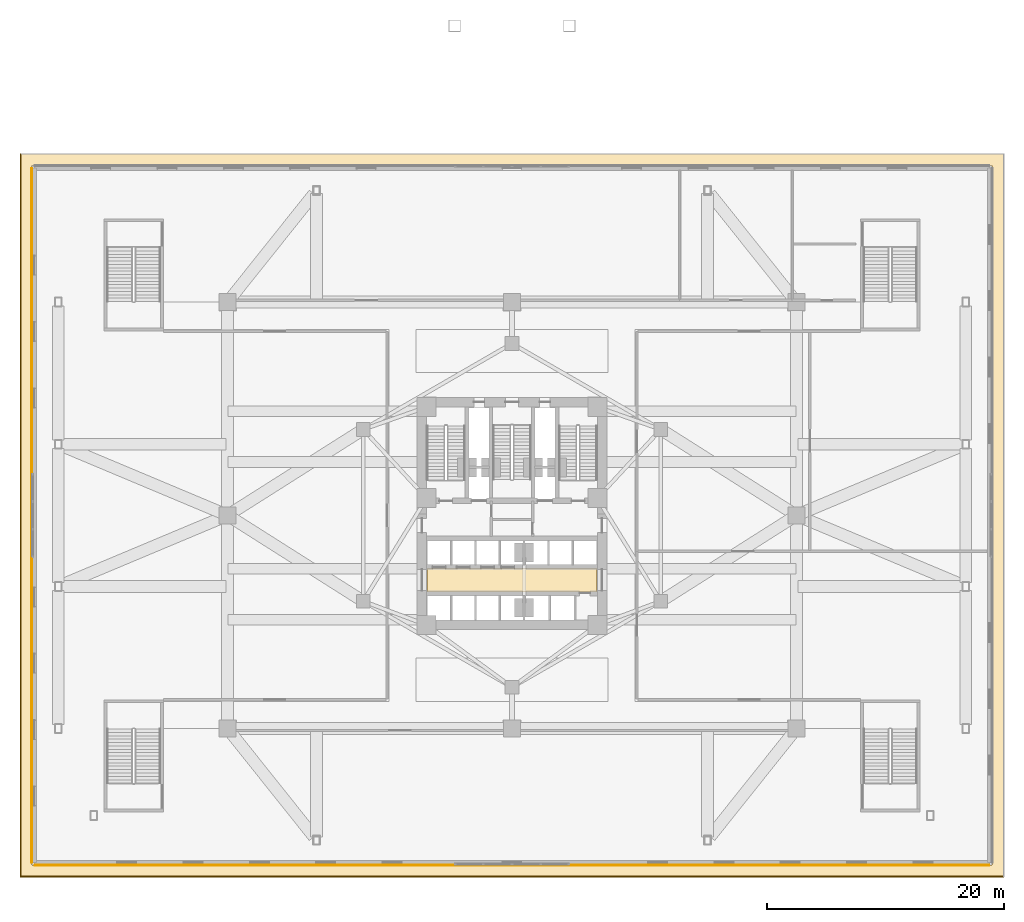
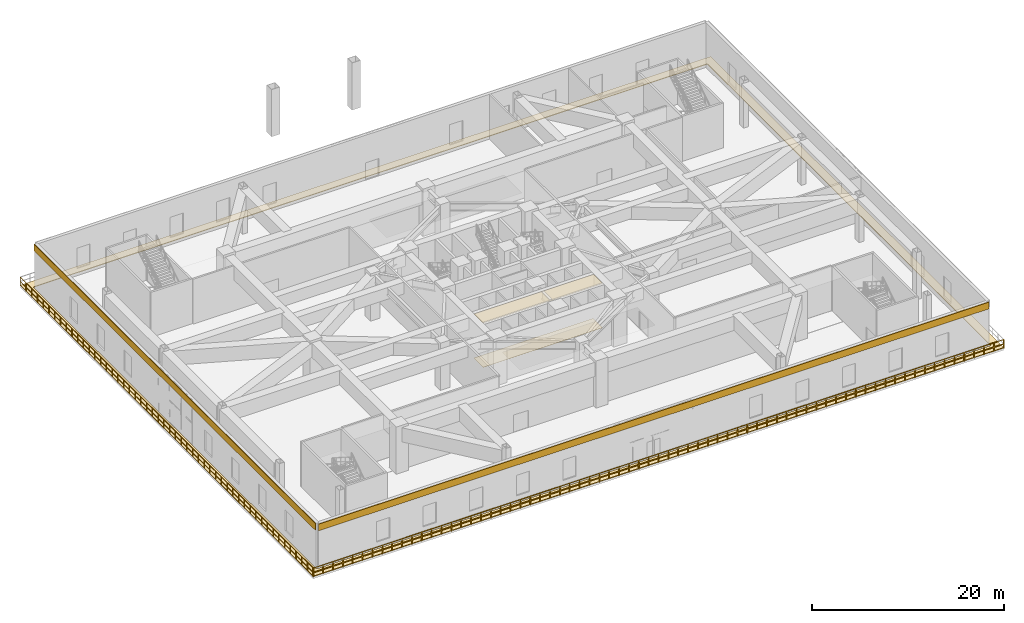
# One storey, part 18 of 25: 5 coverings, 2 railings.
"""IFC4 building model written with IfcOpenShell, lengths in metres."""

from ifc_helpers import new_model, si_unit, direction, frame, origin, origin_2d, place, context, subcontext, project, spatial, polyline, rectangle, outline, extrude, material, layer, layer_set, type_object, element, save


model = new_model("IFC4")

# Units and contexts
model_context = context("Model", 3, precision=1e-05, world=origin(), true_north=direction((0.0, 1.0)))
body_context = subcontext(model_context, "Body", "Model", "MODEL_VIEW")
ifc_project = project(units=[si_unit("LENGTHUNIT", "METRE"), si_unit("AREAUNIT", "SQUARE_METRE"), si_unit("VOLUMEUNIT", "CUBIC_METRE"), si_unit("PLANEANGLEUNIT", "RADIAN"), si_unit("MASSUNIT", "GRAM", prefix="KILO")], contexts=[model_context])

# Site, building, storey
site_placement = place(None, origin())
site = spatial("IfcSite", under=ifc_project, at=site_placement, CompositionType="ELEMENT")
building_placement = place(site_placement, origin())
building = spatial("IfcBuilding", under=site, at=building_placement, Name="Apsidion Concourse Tower", CompositionType="ELEMENT")
storey_placement = place(building_placement, frame((0.0, 0.0, 11.5)))
storey = spatial("IfcBuildingStorey", under=building, at=storey_placement, Name="L02", CompositionType="ELEMENT", Elevation=11.5)

# Coverings
ifc_material_1 = material(Name="Acoustic mineral fibre ceiling")
ifc_layer_1 = layer(ifc_material_1, 0.0400390625)
ifc_layer_set_1 = layer_set([ifc_layer_1], Name="Acoustic mineral fibre ceiling")
covering_type_1 = type_object("IfcCoveringType", Name="COV-CEIL-40", PredefinedType="CEILING", material=ifc_layer_set_1)
covering_1_placement = place(storey_placement, frame((0.0, 0.0, 5.60009765625)))
element("IfcCovering", 1, at=covering_1_placement, inside=storey, type_object=covering_type_1, Name="L02 Acoustic Ceiling Grid 1", PredefinedType="CEILING", context=body_context, shape_type="SweptSolid", body=[
    extrude(outline(polyline([(-7.179931640625, -6.449951171875), (-7.179931640625, -4.47998046875), (7.179931640625, -4.47998046875), (7.179931640625, -6.449951171875), (-7.179931640625, -6.449951171875)])), origin(), (0.0, 0.0, 1.0), 0.039794921875),
])
ifc_material_2 = material(Name="Reconstituted limestone facade cladding", Category="masonry")
ifc_layer_2 = layer(ifc_material_2, 0.080078125)
ifc_layer_set_2 = layer_set([ifc_layer_2], Name="Reconstituted limestone facade cladding")
covering_type_2 = type_object("IfcCoveringType", Name="COV-CLAD-80", PredefinedType="CLADDING", material=ifc_layer_set_2)
covering_2_placement = place(storey_placement, frame((0.0, 0.0, 4.85009765625)))
element("IfcCovering", 2, at=covering_2_placement, inside=storey, type_object=covering_type_2, Name="L02 Limestone Spandrel Cladding S", PredefinedType="CLADDING", context=body_context, shape_type="SweptSolid", body=[
    extrude(outline(polyline([(40.300048828125, -29.47998046875), (-40.300048828125, -29.47998046875), (-40.300048828125, -29.56005859375), (40.300048828125, -29.56005859375), (40.300048828125, -29.47998046875)])), origin(), (0.0, 0.0, 1.0), 0.849853515625),
])
covering_3_placement = place(storey_placement, frame((0.0, 0.0, 4.85009765625)))
element("IfcCovering", 3, at=covering_3_placement, inside=storey, type_object=covering_type_2, Name="L02 Limestone Spandrel Cladding W", PredefinedType="CLADDING", context=body_context, shape_type="SweptSolid", body=[
    extrude(outline(polyline([(-40.47998046875, -29.300048828125), (-40.47998046875, 29.300048828125), (-40.56005859375, 29.300048828125), (-40.56005859375, -29.300048828125), (-40.47998046875, -29.300048828125)])), origin(), (0.0, 0.0, 1.0), 0.849853515625),
])
ifc_material_3 = material(Name="Honed travertine floor finish", Category="masonry")
ifc_layer_3 = layer(ifc_material_3, 0.02001953125)
ifc_layer_set_3 = layer_set([ifc_layer_3], Name="Honed travertine floor finish")
covering_type_3 = type_object("IfcCoveringType", Name="COV-FLOR-20", PredefinedType="FLOORING", material=ifc_layer_set_3)
covering_4_placement = place(storey_placement, origin())
element("IfcCovering", 4, at=covering_4_placement, inside=storey, type_object=covering_type_3, Name="L02 Honed Travertine Floor Finish 1", PredefinedType="FLOORING", context=body_context, shape_type="SweptSolid", body=[
    extrude(outline(polyline([(-7.179931640625, -6.449951171875), (-7.179931640625, -4.47998046875), (7.179931640625, -4.47998046875), (7.179931640625, -6.449951171875), (-7.179931640625, -6.449951171875)])), origin(), (0.0, 0.0, 1.0), 0.02001953125),
])
ifc_material_4 = material(Name="Single-ply EPDM roofing membrane")
ifc_layer_4 = layer(ifc_material_4, 0.1201171875)
ifc_layer_set_4 = layer_set([ifc_layer_4], Name="Single-ply EPDM roofing membrane")
covering_type_4 = type_object("IfcCoveringType", Name="COV-ROOF-120", PredefinedType="ROOFING", material=ifc_layer_set_4)
covering_5_placement = place(storey_placement, origin())
element("IfcCovering", 5, at=covering_5_placement, inside=storey, type_object=covering_type_4, Name="L02 Podium Terrace Waterproofing Membrane", PredefinedType="ROOFING", context=body_context, shape_type="SweptSolid", body=[
    extrude(outline(polyline([(-41.5, 30.5), (41.5, 30.5), (41.5, -30.5), (-41.5, -30.5), (-41.5, 30.5)]), holes=[polyline([(-40.52001953125, -29.501953125), (-40.51953125, -29.50390625), (-40.51904296875, -29.505859375), (-40.5185546875, -29.5078125), (-40.517578125, -29.509521484375), (-40.5166015625, -29.510986328125), (-40.515380859375, -29.5126953125), (-40.51416015625, -29.51416015625), (-40.5126953125, -29.515380859375), (-40.510986328125, -29.5166015625), (-40.509521484375, -29.517578125), (-40.5078125, -29.5185546875), (-40.505859375, -29.51904296875), (-40.50390625, -29.51953125), (-40.501953125, -29.52001953125), (-40.5, -29.52001953125), (40.5, -29.52001953125), (40.501953125, -29.52001953125), (40.50390625, -29.51953125), (40.505859375, -29.51904296875), (40.5078125, -29.5185546875), (40.509521484375, -29.517578125), (40.510986328125, -29.5166015625), (40.5126953125, -29.515380859375), (40.51416015625, -29.51416015625), (40.515380859375, -29.5126953125), (40.5166015625, -29.510986328125), (40.517578125, -29.509521484375), (40.5185546875, -29.5078125), (40.51904296875, -29.505859375), (40.51953125, -29.50390625), (40.52001953125, -29.501953125), (40.52001953125, -29.5), (40.52001953125, 29.5), (40.52001953125, 29.501953125), (40.51953125, 29.50390625), (40.51904296875, 29.505859375), (40.5185546875, 29.5078125), (40.517578125, 29.509521484375), (40.5166015625, 29.510986328125), (40.515380859375, 29.5126953125), (40.51416015625, 29.51416015625), (40.5126953125, 29.515380859375), (40.510986328125, 29.5166015625), (40.509521484375, 29.517578125), (40.5078125, 29.5185546875), (40.505859375, 29.51904296875), (40.50390625, 29.51953125), (40.501953125, 29.52001953125), (40.5, 29.52001953125), (-40.5, 29.52001953125), (-40.501953125, 29.52001953125), (-40.50390625, 29.51953125), (-40.505859375, 29.51904296875), (-40.5078125, 29.5185546875), (-40.509521484375, 29.517578125), (-40.510986328125, 29.5166015625), (-40.5126953125, 29.515380859375), (-40.51416015625, 29.51416015625), (-40.515380859375, 29.5126953125), (-40.5166015625, 29.510986328125), (-40.517578125, 29.509521484375), (-40.5185546875, 29.5078125), (-40.51904296875, 29.505859375), (-40.51953125, 29.50390625), (-40.52001953125, 29.501953125), (-40.52001953125, 29.5), (-40.52001953125, -29.5), (-40.52001953125, -29.501953125)])]), origin(), (0.0, 0.0, 1.0), 0.080078125),
])

# Railings
ifc_material_5 = material(Name="Brushed stainless steel 316", Category="steel")
railing_type = type_object("IfcRailingType", Name="RL-BAL-1120", PredefinedType="BALUSTRADE", material=ifc_material_5)
railing_1_placement = place(storey_placement, frame((41.5, -30.5, 0.0)))
element("IfcRailing", 6, at=railing_1_placement, inside=storey, type_object=railing_type, Name="L02 Podium Setback Terrace Balustrade 3", PredefinedType="BALUSTRADE", context=body_context, shape_type="SweptSolid", body=[
    extrude(rectangle(XDim=0.048095703125, YDim=0.048095703125, at=origin_2d()), frame((0.0, 0.0, 1.09619140625), z_axis=(-1.0, 0.0, 0.0), x_axis=(0.0, -1.0, 0.0)), (0.0, 0.0, 1.0), 83.0),
    extrude(rectangle(XDim=0.048095703125, YDim=0.048095703125, at=origin_2d()), frame((0.0, 0.0, 0.5361328125), z_axis=(-1.0, 0.0, 0.0), x_axis=(0.0, -1.0, 0.0)), (0.0, 0.0, 1.0), 83.0),
    extrude(rectangle(XDim=0.0419921875, YDim=0.0419921875, at=origin_2d()), origin(), (0.0, 0.0, 1.0), 1.072021484375),
    extrude(rectangle(XDim=0.0419921875, YDim=0.0419921875, at=origin_2d()), frame((-1.185791015625, 0.0, 0.0)), (0.0, 0.0, 1.0), 1.072021484375),
    extrude(rectangle(XDim=0.0419921875, YDim=0.0419921875, at=origin_2d()), frame((-2.371337890625, 0.0, 0.0)), (0.0, 0.0, 1.0), 1.072021484375),
    extrude(rectangle(XDim=0.0419921875, YDim=0.0419921875, at=origin_2d()), frame((-3.55712890625, 0.0, 0.0)), (0.0, 0.0, 1.0), 1.072021484375),
    extrude(rectangle(XDim=0.0419921875, YDim=0.0419921875, at=origin_2d()), frame((-4.742919921875, 0.0, 0.0)), (0.0, 0.0, 1.0), 1.072021484375),
    extrude(rectangle(XDim=0.0419921875, YDim=0.0419921875, at=origin_2d()), frame((-5.928466796875, 0.0, 0.0)), (0.0, 0.0, 1.0), 1.072021484375),
    extrude(rectangle(XDim=0.0419921875, YDim=0.0419921875, at=origin_2d()), frame((-7.1142578125, 0.0, 0.0)), (0.0, 0.0, 1.0), 1.072021484375),
    extrude(rectangle(XDim=0.0419921875, YDim=0.0419921875, at=origin_2d()), frame((-8.300048828125, 0.0, 0.0)), (0.0, 0.0, 1.0), 1.072021484375),
    extrude(rectangle(XDim=0.0419921875, YDim=0.0419921875, at=origin_2d()), frame((-9.485595703125, 0.0, 0.0)), (0.0, 0.0, 1.0), 1.072021484375),
    extrude(rectangle(XDim=0.0419921875, YDim=0.0419921875, at=origin_2d()), frame((-10.67138671875, 0.0, 0.0)), (0.0, 0.0, 1.0), 1.072021484375),
    extrude(rectangle(XDim=0.0419921875, YDim=0.0419921875, at=origin_2d()), frame((-11.857177734375, 0.0, 0.0)), (0.0, 0.0, 1.0), 1.072021484375),
    extrude(rectangle(XDim=0.0419921875, YDim=0.0419921875, at=origin_2d()), frame((-13.04296875, 0.0, 0.0)), (0.0, 0.0, 1.0), 1.072021484375),
    extrude(rectangle(XDim=0.0419921875, YDim=0.0419921875, at=origin_2d()), frame((-14.228515625, 0.0, 0.0)), (0.0, 0.0, 1.0), 1.072021484375),
    extrude(rectangle(XDim=0.0419921875, YDim=0.0419921875, at=origin_2d()), frame((-15.414306640625, 0.0, 0.0)), (0.0, 0.0, 1.0), 1.072021484375),
    extrude(rectangle(XDim=0.0419921875, YDim=0.0419921875, at=origin_2d()), frame((-16.60009765625, 0.0, 0.0)), (0.0, 0.0, 1.0), 1.072021484375),
    extrude(rectangle(XDim=0.0419921875, YDim=0.0419921875, at=origin_2d()), frame((-17.78564453125, 0.0, 0.0)), (0.0, 0.0, 1.0), 1.072021484375),
    extrude(rectangle(XDim=0.0419921875, YDim=0.0419921875, at=origin_2d()), frame((-18.971435546875, 0.0, 0.0)), (0.0, 0.0, 1.0), 1.072021484375),
    extrude(rectangle(XDim=0.0419921875, YDim=0.0419921875, at=origin_2d()), frame((-20.1572265625, 0.0, 0.0)), (0.0, 0.0, 1.0), 1.072021484375),
    extrude(rectangle(XDim=0.0419921875, YDim=0.0419921875, at=origin_2d()), frame((-21.3427734375, 0.0, 0.0)), (0.0, 0.0, 1.0), 1.072021484375),
    extrude(rectangle(XDim=0.0419921875, YDim=0.0419921875, at=origin_2d()), frame((-22.528564453125, 0.0, 0.0)), (0.0, 0.0, 1.0), 1.072021484375),
    extrude(rectangle(XDim=0.0419921875, YDim=0.0419921875, at=origin_2d()), frame((-23.71435546875, 0.0, 0.0)), (0.0, 0.0, 1.0), 1.072021484375),
    extrude(rectangle(XDim=0.0419921875, YDim=0.0419921875, at=origin_2d()), frame((-24.89990234375, 0.0, 0.0)), (0.0, 0.0, 1.0), 1.072021484375),
    extrude(rectangle(XDim=0.0419921875, YDim=0.0419921875, at=origin_2d()), frame((-26.085693359375, 0.0, 0.0)), (0.0, 0.0, 1.0), 1.072021484375),
    extrude(rectangle(XDim=0.0419921875, YDim=0.0419921875, at=origin_2d()), frame((-27.271484375, 0.0, 0.0)), (0.0, 0.0, 1.0), 1.072021484375),
    extrude(rectangle(XDim=0.0419921875, YDim=0.0419921875, at=origin_2d()), frame((-28.45703125, 0.0, 0.0)), (0.0, 0.0, 1.0), 1.072021484375),
    extrude(rectangle(XDim=0.0419921875, YDim=0.0419921875, at=origin_2d()), frame((-29.642822265625, 0.0, 0.0)), (0.0, 0.0, 1.0), 1.072021484375),
    extrude(rectangle(XDim=0.0419921875, YDim=0.0419921875, at=origin_2d()), frame((-30.82861328125, 0.0, 0.0)), (0.0, 0.0, 1.0), 1.072021484375),
    extrude(rectangle(XDim=0.0419921875, YDim=0.0419921875, at=origin_2d()), frame((-32.014404296875, 0.0, 0.0)), (0.0, 0.0, 1.0), 1.072021484375),
    extrude(rectangle(XDim=0.0419921875, YDim=0.0419921875, at=origin_2d()), frame((-33.199951171875, 0.0, 0.0)), (0.0, 0.0, 1.0), 1.072021484375),
    extrude(rectangle(XDim=0.0419921875, YDim=0.0419921875, at=origin_2d()), frame((-34.3857421875, 0.0, 0.0)), (0.0, 0.0, 1.0), 1.072021484375),
    extrude(rectangle(XDim=0.0419921875, YDim=0.0419921875, at=origin_2d()), frame((-35.571533203125, 0.0, 0.0)), (0.0, 0.0, 1.0), 1.072021484375),
    extrude(rectangle(XDim=0.0419921875, YDim=0.0419921875, at=origin_2d()), frame((-36.757080078125, 0.0, 0.0)), (0.0, 0.0, 1.0), 1.072021484375),
    extrude(rectangle(XDim=0.0419921875, YDim=0.0419921875, at=origin_2d()), frame((-37.94287109375, 0.0, 0.0)), (0.0, 0.0, 1.0), 1.072021484375),
    extrude(rectangle(XDim=0.0419921875, YDim=0.0419921875, at=origin_2d()), frame((-39.128662109375, 0.0, 0.0)), (0.0, 0.0, 1.0), 1.072021484375),
    extrude(rectangle(XDim=0.0419921875, YDim=0.0419921875, at=origin_2d()), frame((-40.314208984375, 0.0, 0.0)), (0.0, 0.0, 1.0), 1.072021484375),
    extrude(rectangle(XDim=0.0419921875, YDim=0.0419921875, at=origin_2d()), frame((-41.5, 0.0, 0.0)), (0.0, 0.0, 1.0), 1.072021484375),
    extrude(rectangle(XDim=0.0419921875, YDim=0.0419921875, at=origin_2d()), frame((-42.685791015625, 0.0, 0.0)), (0.0, 0.0, 1.0), 1.072021484375),
    extrude(rectangle(XDim=0.0419921875, YDim=0.0419921875, at=origin_2d()), frame((-43.871337890625, 0.0, 0.0)), (0.0, 0.0, 1.0), 1.072021484375),
    extrude(rectangle(XDim=0.0419921875, YDim=0.0419921875, at=origin_2d()), frame((-45.05712890625, 0.0, 0.0)), (0.0, 0.0, 1.0), 1.072021484375),
    extrude(rectangle(XDim=0.0419921875, YDim=0.0419921875, at=origin_2d()), frame((-46.242919921875, 0.0, 0.0)), (0.0, 0.0, 1.0), 1.072021484375),
    extrude(rectangle(XDim=0.0419921875, YDim=0.0419921875, at=origin_2d()), frame((-47.428466796875, 0.0, 0.0)), (0.0, 0.0, 1.0), 1.072021484375),
    extrude(rectangle(XDim=0.0419921875, YDim=0.0419921875, at=origin_2d()), frame((-48.6142578125, 0.0, 0.0)), (0.0, 0.0, 1.0), 1.072021484375),
    extrude(rectangle(XDim=0.0419921875, YDim=0.0419921875, at=origin_2d()), frame((-49.800048828125, 0.0, 0.0)), (0.0, 0.0, 1.0), 1.072021484375),
    extrude(rectangle(XDim=0.0419921875, YDim=0.0419921875, at=origin_2d()), frame((-50.985595703125, 0.0, 0.0)), (0.0, 0.0, 1.0), 1.072021484375),
    extrude(rectangle(XDim=0.0419921875, YDim=0.0419921875, at=origin_2d()), frame((-52.17138671875, 0.0, 0.0)), (0.0, 0.0, 1.0), 1.072021484375),
    extrude(rectangle(XDim=0.0419921875, YDim=0.0419921875, at=origin_2d()), frame((-53.357177734375, 0.0, 0.0)), (0.0, 0.0, 1.0), 1.072021484375),
    extrude(rectangle(XDim=0.0419921875, YDim=0.0419921875, at=origin_2d()), frame((-54.54296875, 0.0, 0.0)), (0.0, 0.0, 1.0), 1.072021484375),
    extrude(rectangle(XDim=0.0419921875, YDim=0.0419921875, at=origin_2d()), frame((-55.728515625, 0.0, 0.0)), (0.0, 0.0, 1.0), 1.072021484375),
    extrude(rectangle(XDim=0.0419921875, YDim=0.0419921875, at=origin_2d()), frame((-56.914306640625, 0.0, 0.0)), (0.0, 0.0, 1.0), 1.072021484375),
    extrude(rectangle(XDim=0.0419921875, YDim=0.0419921875, at=origin_2d()), frame((-58.10009765625, 0.0, 0.0)), (0.0, 0.0, 1.0), 1.072021484375),
    extrude(rectangle(XDim=0.0419921875, YDim=0.0419921875, at=origin_2d()), frame((-59.28564453125, 0.0, 0.0)), (0.0, 0.0, 1.0), 1.072021484375),
    extrude(rectangle(XDim=0.0419921875, YDim=0.0419921875, at=origin_2d()), frame((-60.471435546875, 0.0, 0.0)), (0.0, 0.0, 1.0), 1.072021484375),
    extrude(rectangle(XDim=0.0419921875, YDim=0.0419921875, at=origin_2d()), frame((-61.6572265625, 0.0, 0.0)), (0.0, 0.0, 1.0), 1.072021484375),
    extrude(rectangle(XDim=0.0419921875, YDim=0.0419921875, at=origin_2d()), frame((-62.8427734375, 0.0, 0.0)), (0.0, 0.0, 1.0), 1.072021484375),
    extrude(rectangle(XDim=0.0419921875, YDim=0.0419921875, at=origin_2d()), frame((-64.028564453125, 0.0, 0.0)), (0.0, 0.0, 1.0), 1.072021484375),
    extrude(rectangle(XDim=0.0419921875, YDim=0.0419921875, at=origin_2d()), frame((-65.21435546875, 0.0, 0.0)), (0.0, 0.0, 1.0), 1.072021484375),
    extrude(rectangle(XDim=0.0419921875, YDim=0.0419921875, at=origin_2d()), frame((-66.39990234375, 0.0, 0.0)), (0.0, 0.0, 1.0), 1.072021484375),
    extrude(rectangle(XDim=0.0419921875, YDim=0.0419921875, at=origin_2d()), frame((-67.585693359375, 0.0, 0.0)), (0.0, 0.0, 1.0), 1.072021484375),
    extrude(rectangle(XDim=0.0419921875, YDim=0.0419921875, at=origin_2d()), frame((-68.771484375, 0.0, 0.0)), (0.0, 0.0, 1.0), 1.072021484375),
    extrude(rectangle(XDim=0.0419921875, YDim=0.0419921875, at=origin_2d()), frame((-69.95703125, 0.0, 0.0)), (0.0, 0.0, 1.0), 1.072021484375),
    extrude(rectangle(XDim=0.0419921875, YDim=0.0419921875, at=origin_2d()), frame((-71.142822265625, 0.0, 0.0)), (0.0, 0.0, 1.0), 1.072021484375),
    extrude(rectangle(XDim=0.0419921875, YDim=0.0419921875, at=origin_2d()), frame((-72.32861328125, 0.0, 0.0)), (0.0, 0.0, 1.0), 1.072021484375),
    extrude(rectangle(XDim=0.0419921875, YDim=0.0419921875, at=origin_2d()), frame((-73.514404296875, 0.0, 0.0)), (0.0, 0.0, 1.0), 1.072021484375),
    extrude(rectangle(XDim=0.0419921875, YDim=0.0419921875, at=origin_2d()), frame((-74.699951171875, 0.0, 0.0)), (0.0, 0.0, 1.0), 1.072021484375),
    extrude(rectangle(XDim=0.0419921875, YDim=0.0419921875, at=origin_2d()), frame((-75.8857421875, 0.0, 0.0)), (0.0, 0.0, 1.0), 1.072021484375),
    extrude(rectangle(XDim=0.0419921875, YDim=0.0419921875, at=origin_2d()), frame((-77.071533203125, 0.0, 0.0)), (0.0, 0.0, 1.0), 1.072021484375),
    extrude(rectangle(XDim=0.0419921875, YDim=0.0419921875, at=origin_2d()), frame((-78.257080078125, 0.0, 0.0)), (0.0, 0.0, 1.0), 1.072021484375),
    extrude(rectangle(XDim=0.0419921875, YDim=0.0419921875, at=origin_2d()), frame((-79.44287109375, 0.0, 0.0)), (0.0, 0.0, 1.0), 1.072021484375),
    extrude(rectangle(XDim=0.0419921875, YDim=0.0419921875, at=origin_2d()), frame((-80.628662109375, 0.0, 0.0)), (0.0, 0.0, 1.0), 1.072021484375),
    extrude(rectangle(XDim=0.0419921875, YDim=0.0419921875, at=origin_2d()), frame((-81.814208984375, 0.0, 0.0)), (0.0, 0.0, 1.0), 1.072021484375),
    extrude(rectangle(XDim=0.0419921875, YDim=0.0419921875, at=origin_2d()), frame((-83.0, 0.0, 0.0)), (0.0, 0.0, 1.0), 1.072021484375),
])
railing_2_placement = place(storey_placement, frame((-41.5, -30.5, 0.0)))
element("IfcRailing", 7, at=railing_2_placement, inside=storey, type_object=railing_type, Name="L02 Podium Setback Terrace Balustrade 4", PredefinedType="BALUSTRADE", context=body_context, shape_type="SweptSolid", body=[
    extrude(rectangle(XDim=0.048095703125, YDim=0.048095703125, at=origin_2d()), frame((0.0, 0.0, 1.09619140625), z_axis=(0.0, 1.0, 0.0), x_axis=(-1.0, 0.0, 0.0)), (0.0, 0.0, 1.0), 61.0),
    extrude(rectangle(XDim=0.048095703125, YDim=0.048095703125, at=origin_2d()), frame((0.0, 0.0, 0.5361328125), z_axis=(0.0, 1.0, 0.0), x_axis=(-1.0, 0.0, 0.0)), (0.0, 0.0, 1.0), 61.0),
    extrude(rectangle(XDim=0.0419921875, YDim=0.0419921875, at=origin_2d()), origin(), (0.0, 0.0, 1.0), 1.072021484375),
    extrude(rectangle(XDim=0.0419921875, YDim=0.0419921875, at=origin_2d()), frame((0.0, 1.196044921875, 0.0)), (0.0, 0.0, 1.0), 1.072021484375),
    extrude(rectangle(XDim=0.0419921875, YDim=0.0419921875, at=origin_2d()), frame((0.0, 2.39208984375, 0.0)), (0.0, 0.0, 1.0), 1.072021484375),
    extrude(rectangle(XDim=0.0419921875, YDim=0.0419921875, at=origin_2d()), frame((0.0, 3.588134765625, 0.0)), (0.0, 0.0, 1.0), 1.072021484375),
    extrude(rectangle(XDim=0.0419921875, YDim=0.0419921875, at=origin_2d()), frame((0.0, 4.784423828125, 0.0)), (0.0, 0.0, 1.0), 1.072021484375),
    extrude(rectangle(XDim=0.0419921875, YDim=0.0419921875, at=origin_2d()), frame((0.0, 5.98046875, 0.0)), (0.0, 0.0, 1.0), 1.072021484375),
    extrude(rectangle(XDim=0.0419921875, YDim=0.0419921875, at=origin_2d()), frame((0.0, 7.176513671875, 0.0)), (0.0, 0.0, 1.0), 1.072021484375),
    extrude(rectangle(XDim=0.0419921875, YDim=0.0419921875, at=origin_2d()), frame((0.0, 8.37255859375, 0.0)), (0.0, 0.0, 1.0), 1.072021484375),
    extrude(rectangle(XDim=0.0419921875, YDim=0.0419921875, at=origin_2d()), frame((0.0, 9.568603515625, 0.0)), (0.0, 0.0, 1.0), 1.072021484375),
    extrude(rectangle(XDim=0.0419921875, YDim=0.0419921875, at=origin_2d()), frame((0.0, 10.7646484375, 0.0)), (0.0, 0.0, 1.0), 1.072021484375),
    extrude(rectangle(XDim=0.0419921875, YDim=0.0419921875, at=origin_2d()), frame((0.0, 11.960693359375, 0.0)), (0.0, 0.0, 1.0), 1.072021484375),
    extrude(rectangle(XDim=0.0419921875, YDim=0.0419921875, at=origin_2d()), frame((0.0, 13.156982421875, 0.0)), (0.0, 0.0, 1.0), 1.072021484375),
    extrude(rectangle(XDim=0.0419921875, YDim=0.0419921875, at=origin_2d()), frame((0.0, 14.35302734375, 0.0)), (0.0, 0.0, 1.0), 1.072021484375),
    extrude(rectangle(XDim=0.0419921875, YDim=0.0419921875, at=origin_2d()), frame((0.0, 15.549072265625, 0.0)), (0.0, 0.0, 1.0), 1.072021484375),
    extrude(rectangle(XDim=0.0419921875, YDim=0.0419921875, at=origin_2d()), frame((0.0, 16.7451171875, 0.0)), (0.0, 0.0, 1.0), 1.072021484375),
    extrude(rectangle(XDim=0.0419921875, YDim=0.0419921875, at=origin_2d()), frame((0.0, 17.941162109375, 0.0)), (0.0, 0.0, 1.0), 1.072021484375),
    extrude(rectangle(XDim=0.0419921875, YDim=0.0419921875, at=origin_2d()), frame((0.0, 19.13720703125, 0.0)), (0.0, 0.0, 1.0), 1.072021484375),
    extrude(rectangle(XDim=0.0419921875, YDim=0.0419921875, at=origin_2d()), frame((0.0, 20.333251953125, 0.0)), (0.0, 0.0, 1.0), 1.072021484375),
    extrude(rectangle(XDim=0.0419921875, YDim=0.0419921875, at=origin_2d()), frame((0.0, 21.529296875, 0.0)), (0.0, 0.0, 1.0), 1.072021484375),
    extrude(rectangle(XDim=0.0419921875, YDim=0.0419921875, at=origin_2d()), frame((0.0, 22.7255859375, 0.0)), (0.0, 0.0, 1.0), 1.072021484375),
    extrude(rectangle(XDim=0.0419921875, YDim=0.0419921875, at=origin_2d()), frame((0.0, 23.921630859375, 0.0)), (0.0, 0.0, 1.0), 1.072021484375),
    extrude(rectangle(XDim=0.0419921875, YDim=0.0419921875, at=origin_2d()), frame((0.0, 25.11767578125, 0.0)), (0.0, 0.0, 1.0), 1.072021484375),
    extrude(rectangle(XDim=0.0419921875, YDim=0.0419921875, at=origin_2d()), frame((0.0, 26.313720703125, 0.0)), (0.0, 0.0, 1.0), 1.072021484375),
    extrude(rectangle(XDim=0.0419921875, YDim=0.0419921875, at=origin_2d()), frame((0.0, 27.509765625, 0.0)), (0.0, 0.0, 1.0), 1.072021484375),
    extrude(rectangle(XDim=0.0419921875, YDim=0.0419921875, at=origin_2d()), frame((0.0, 28.705810546875, 0.0)), (0.0, 0.0, 1.0), 1.072021484375),
    extrude(rectangle(XDim=0.0419921875, YDim=0.0419921875, at=origin_2d()), frame((0.0, 29.90185546875, 0.0)), (0.0, 0.0, 1.0), 1.072021484375),
    extrude(rectangle(XDim=0.0419921875, YDim=0.0419921875, at=origin_2d()), frame((0.0, 31.09814453125, 0.0)), (0.0, 0.0, 1.0), 1.072021484375),
    extrude(rectangle(XDim=0.0419921875, YDim=0.0419921875, at=origin_2d()), frame((0.0, 32.294189453125, 0.0)), (0.0, 0.0, 1.0), 1.072021484375),
    extrude(rectangle(XDim=0.0419921875, YDim=0.0419921875, at=origin_2d()), frame((0.0, 33.490234375, 0.0)), (0.0, 0.0, 1.0), 1.072021484375),
    extrude(rectangle(XDim=0.0419921875, YDim=0.0419921875, at=origin_2d()), frame((0.0, 34.686279296875, 0.0)), (0.0, 0.0, 1.0), 1.072021484375),
    extrude(rectangle(XDim=0.0419921875, YDim=0.0419921875, at=origin_2d()), frame((0.0, 35.88232421875, 0.0)), (0.0, 0.0, 1.0), 1.072021484375),
    extrude(rectangle(XDim=0.0419921875, YDim=0.0419921875, at=origin_2d()), frame((0.0, 37.078369140625, 0.0)), (0.0, 0.0, 1.0), 1.072021484375),
    extrude(rectangle(XDim=0.0419921875, YDim=0.0419921875, at=origin_2d()), frame((0.0, 38.2744140625, 0.0)), (0.0, 0.0, 1.0), 1.072021484375),
    extrude(rectangle(XDim=0.0419921875, YDim=0.0419921875, at=origin_2d()), frame((0.0, 39.470703125, 0.0)), (0.0, 0.0, 1.0), 1.072021484375),
    extrude(rectangle(XDim=0.0419921875, YDim=0.0419921875, at=origin_2d()), frame((0.0, 40.666748046875, 0.0)), (0.0, 0.0, 1.0), 1.072021484375),
    extrude(rectangle(XDim=0.0419921875, YDim=0.0419921875, at=origin_2d()), frame((0.0, 41.86279296875, 0.0)), (0.0, 0.0, 1.0), 1.072021484375),
    extrude(rectangle(XDim=0.0419921875, YDim=0.0419921875, at=origin_2d()), frame((0.0, 43.058837890625, 0.0)), (0.0, 0.0, 1.0), 1.072021484375),
    extrude(rectangle(XDim=0.0419921875, YDim=0.0419921875, at=origin_2d()), frame((0.0, 44.2548828125, 0.0)), (0.0, 0.0, 1.0), 1.072021484375),
    extrude(rectangle(XDim=0.0419921875, YDim=0.0419921875, at=origin_2d()), frame((0.0, 45.450927734375, 0.0)), (0.0, 0.0, 1.0), 1.072021484375),
    extrude(rectangle(XDim=0.0419921875, YDim=0.0419921875, at=origin_2d()), frame((0.0, 46.64697265625, 0.0)), (0.0, 0.0, 1.0), 1.072021484375),
    extrude(rectangle(XDim=0.0419921875, YDim=0.0419921875, at=origin_2d()), frame((0.0, 47.843017578125, 0.0)), (0.0, 0.0, 1.0), 1.072021484375),
    extrude(rectangle(XDim=0.0419921875, YDim=0.0419921875, at=origin_2d()), frame((0.0, 49.039306640625, 0.0)), (0.0, 0.0, 1.0), 1.072021484375),
    extrude(rectangle(XDim=0.0419921875, YDim=0.0419921875, at=origin_2d()), frame((0.0, 50.2353515625, 0.0)), (0.0, 0.0, 1.0), 1.072021484375),
    extrude(rectangle(XDim=0.0419921875, YDim=0.0419921875, at=origin_2d()), frame((0.0, 51.431396484375, 0.0)), (0.0, 0.0, 1.0), 1.072021484375),
    extrude(rectangle(XDim=0.0419921875, YDim=0.0419921875, at=origin_2d()), frame((0.0, 52.62744140625, 0.0)), (0.0, 0.0, 1.0), 1.072021484375),
    extrude(rectangle(XDim=0.0419921875, YDim=0.0419921875, at=origin_2d()), frame((0.0, 53.823486328125, 0.0)), (0.0, 0.0, 1.0), 1.072021484375),
    extrude(rectangle(XDim=0.0419921875, YDim=0.0419921875, at=origin_2d()), frame((0.0, 55.01953125, 0.0)), (0.0, 0.0, 1.0), 1.072021484375),
    extrude(rectangle(XDim=0.0419921875, YDim=0.0419921875, at=origin_2d()), frame((0.0, 56.215576171875, 0.0)), (0.0, 0.0, 1.0), 1.072021484375),
    extrude(rectangle(XDim=0.0419921875, YDim=0.0419921875, at=origin_2d()), frame((0.0, 57.411865234375, 0.0)), (0.0, 0.0, 1.0), 1.072021484375),
    extrude(rectangle(XDim=0.0419921875, YDim=0.0419921875, at=origin_2d()), frame((0.0, 58.60791015625, 0.0)), (0.0, 0.0, 1.0), 1.072021484375),
    extrude(rectangle(XDim=0.0419921875, YDim=0.0419921875, at=origin_2d()), frame((0.0, 59.803955078125, 0.0)), (0.0, 0.0, 1.0), 1.072021484375),
    extrude(rectangle(XDim=0.0419921875, YDim=0.0419921875, at=origin_2d()), frame((0.0, 61.0, 0.0)), (0.0, 0.0, 1.0), 1.072021484375),
])

save(model, "model.ifc")
